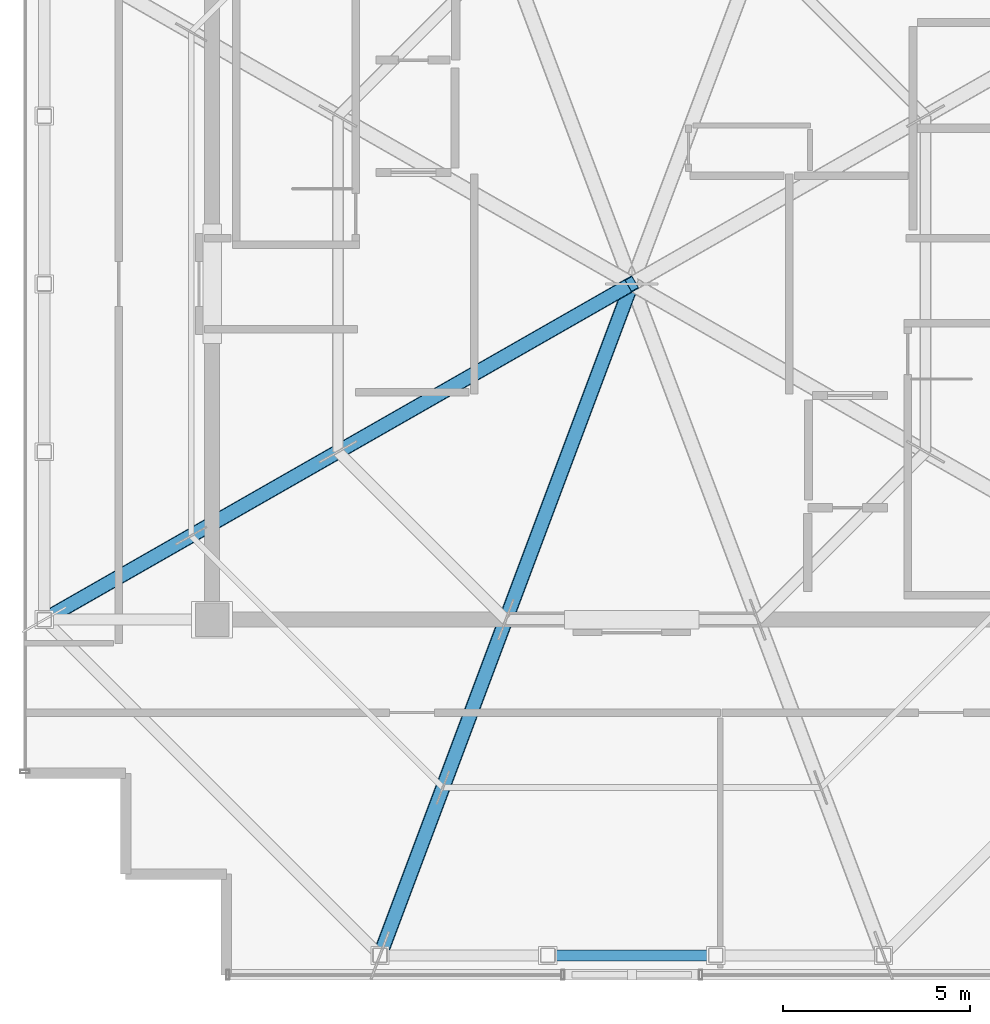
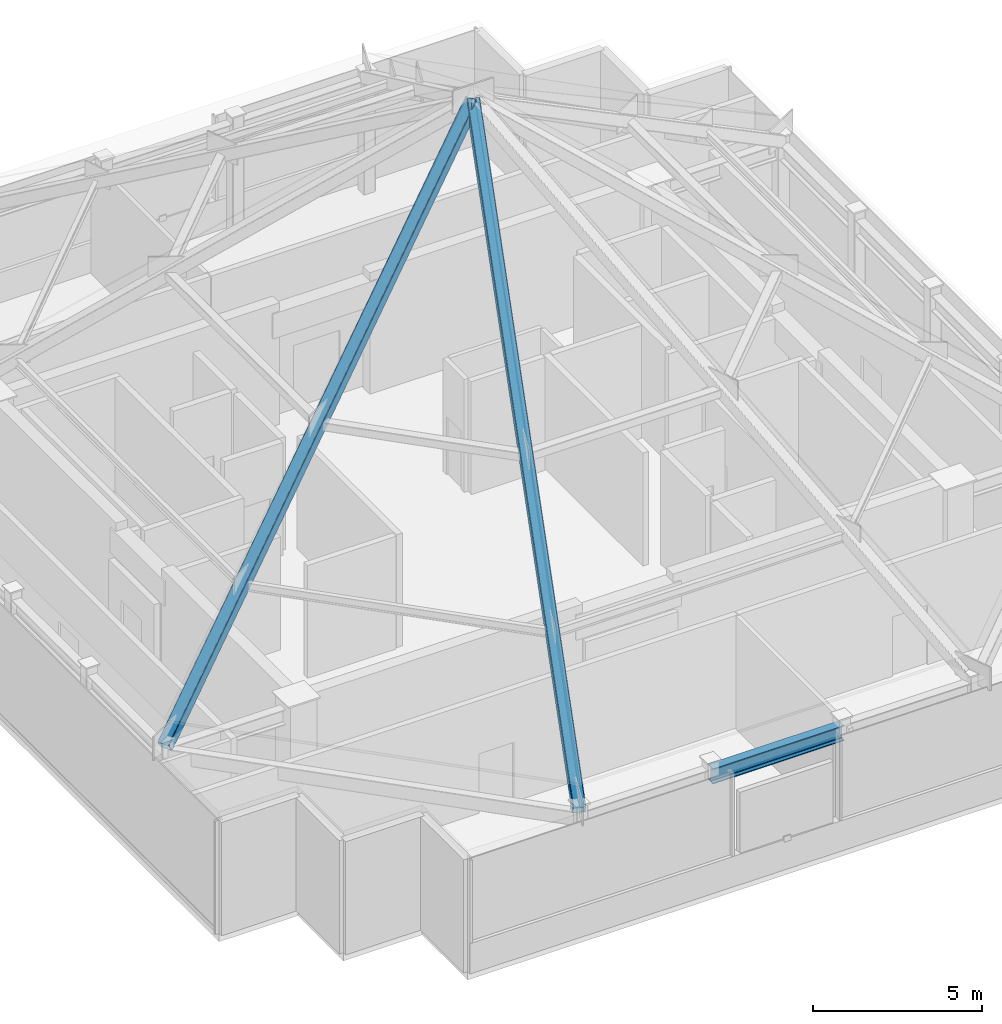
# One storey, part 3 of 17: 2 members, 1 beam.
"""IFC4 building model written with IfcOpenShell, lengths in metres."""

from ifc_helpers import new_model, si_unit, direction, frame, origin, origin_2d, place, context, subcontext, project, spatial, hollow_rectangle, i_section, extrude, source, transform, mapped, material, material_profile, profile_set, type_object, element, save


model = new_model("IFC4")

# Units and contexts
model_context = context("Model", 3, precision=1e-05, world=origin(), true_north=direction((0.0, 1.0)))
body_context = subcontext(model_context, "Body", "Model", "MODEL_VIEW")
ifc_project = project(units=[si_unit("LENGTHUNIT", "METRE"), si_unit("AREAUNIT", "SQUARE_METRE"), si_unit("VOLUMEUNIT", "CUBIC_METRE"), si_unit("PLANEANGLEUNIT", "RADIAN"), si_unit("MASSUNIT", "GRAM", prefix="KILO")], contexts=[model_context])

# Site, building, storey
site_placement = place(None, origin())
site = spatial("IfcSite", under=ifc_project, at=site_placement, CompositionType="ELEMENT")
building_placement = place(site_placement, origin())
building = spatial("IfcBuilding", under=site, at=building_placement, Name="Nefas-Gora Pilgrimage Tower", CompositionType="ELEMENT")
storey_placement = place(building_placement, frame((0.0, 0.0, 367.39990234375)))
storey = spatial("IfcBuildingStorey", under=building, at=storey_placement, Name="L92", CompositionType="ELEMENT", Elevation=367.39990234375)

# Beam
ifc_material_1 = material(Name="Steel S355", Category="steel")
ifc_material_profile_1 = material_profile(ifc_material_1, i_section(OverallWidth=0.300048828125, OverallDepth=0.550048828125, WebThickness=0.014892578125, FlangeThickness=0.029052734375, FilletRadius=0.027099609375, at=origin_2d()), Name="HEB 550")
ifc_profile_set_1 = profile_set([ifc_material_profile_1], Name="Steel S355")
beam_type = type_object("IfcBeamType", Name="BM-SPN-HEB400", PredefinedType="SPANDREL", material=ifc_profile_set_1)
shared_shape_1 = source(origin(), body_context, "Body", "SweptSolid", [
    extrude(i_section(OverallWidth=0.300048828125, OverallDepth=0.550048828125, WebThickness=0.014892578125, FlangeThickness=0.029052734375, FilletRadius=0.027099609375, at=origin_2d()), origin(), (0.0, 0.0, 1.0), 4.5),
])
beam_placement = place(storey_placement, frame((-2.25, -18.0, 3.8251953125), z_axis=(1.0, 0.0, 0.0), x_axis=(0.0, 1.0, 0.0)))
element("IfcBeam", 1, at=beam_placement, inside=storey, type_object=beam_type, Name="L92 SP-04 beam", PredefinedType="SPANDREL", context=body_context, shape_type="MappedRepresentation", body=[
    mapped(shared_shape_1, transform((0.0, 0.0, 0.0), x_axis=(1.0, 0.0, 0.0), y_axis=(0.0, 1.0, 0.0), z_axis=(0.0, 0.0, 1.0), scale=1.0)),
])

# Members
ifc_material_2 = material(Name="Steel S460", Category="steel")
ifc_material_profile_2 = material_profile(ifc_material_2, hollow_rectangle(XDim=0.39990234375, YDim=0.39990234375, WallThickness=0.02001953125, InnerFilletRadius=0.02001953125, OuterFilletRadius=0.0400390625, at=origin_2d()), Name="SHS 400x400x20")
ifc_profile_set_2 = profile_set([ifc_material_profile_2], Name="Steel S460")
member_type = type_object("IfcMemberType", Name="MEM-CROWN-RIB", PredefinedType="RAFTER", material=ifc_profile_set_2)
shared_shape_2 = source(origin(), body_context, "Body", "SweptSolid", [
    extrude(hollow_rectangle(XDim=0.39990234375, YDim=0.39990234375, WallThickness=0.02001953125, InnerFilletRadius=0.02001953125, OuterFilletRadius=0.0400390625, at=origin_2d()), origin(), (0.0, 0.0, 1.0), 21.984375),
])
member_1_placement = place(storey_placement, frame((-15.75, -9.0, 4.10009765625), z_axis=(0.716414786328, 0.409379877902, 0.564940677859), x_axis=(-0.496138938357, 0.868243142124, 0.0)))
element("IfcMember", 2, at=member_1_placement, inside=storey, type_object=member_type, Name="CROWN FRAME Raking Steel Rib 6", PredefinedType="RAFTER", context=body_context, shape_type="MappedRepresentation", body=[
    mapped(shared_shape_2, transform((0.0, 0.0, 0.0), x_axis=(1.0, 0.0, 0.0), y_axis=(0.0, 1.0, 0.0), z_axis=(0.0, 0.0, 1.0), scale=1.0)),
])
shared_shape_3 = source(origin(), body_context, "Body", "SweptSolid", [
    extrude(hollow_rectangle(XDim=0.39990234375, YDim=0.39990234375, WallThickness=0.02001953125, InnerFilletRadius=0.02001953125, OuterFilletRadius=0.0400390625, at=origin_2d()), origin(), (0.0, 0.0, 1.0), 22.886962890625),
])
member_2_placement = place(storey_placement, frame((-6.75, -18.0, 4.10009765625), z_axis=(0.294926634647, 0.786471025725, 0.542661594247), x_axis=(-0.936329177569, 0.351123441588, 0.0)))
element("IfcMember", 3, at=member_2_placement, inside=storey, type_object=member_type, Name="CROWN FRAME Raking Steel Rib 7", PredefinedType="RAFTER", context=body_context, shape_type="MappedRepresentation", body=[
    mapped(shared_shape_3, transform((0.0, 0.0, 0.0), x_axis=(1.0, 0.0, 0.0), y_axis=(0.0, 1.0, 0.0), z_axis=(0.0, 0.0, 1.0), scale=1.0)),
])

save(model, "model.ifc")
